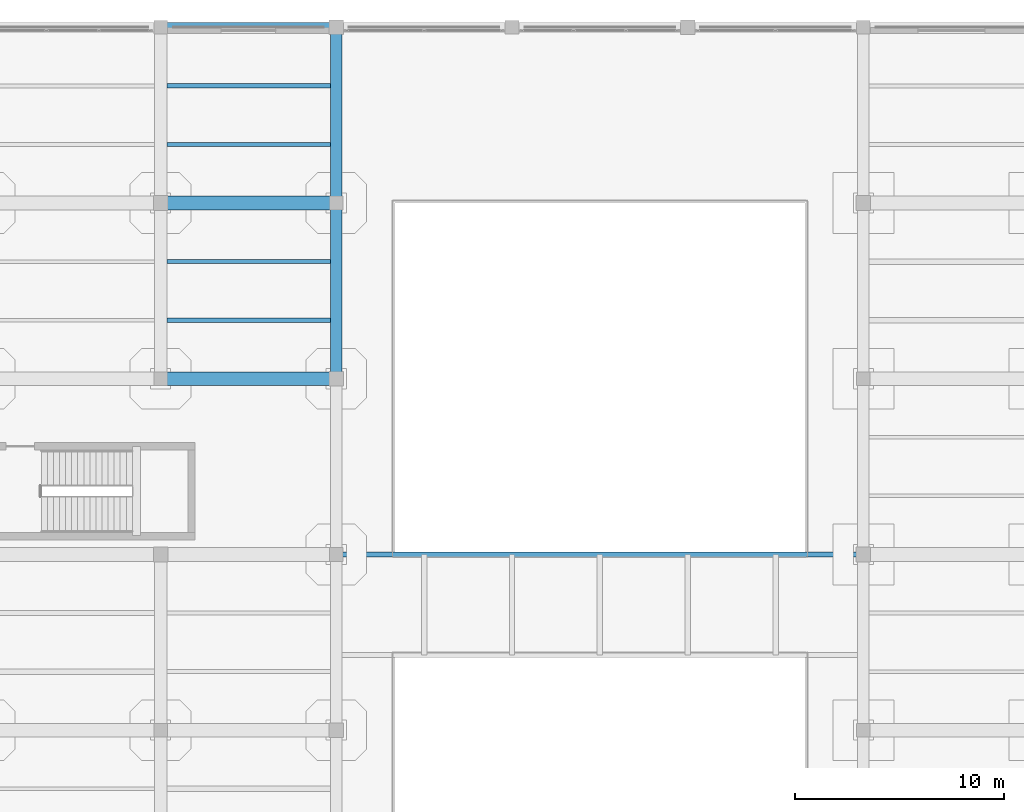
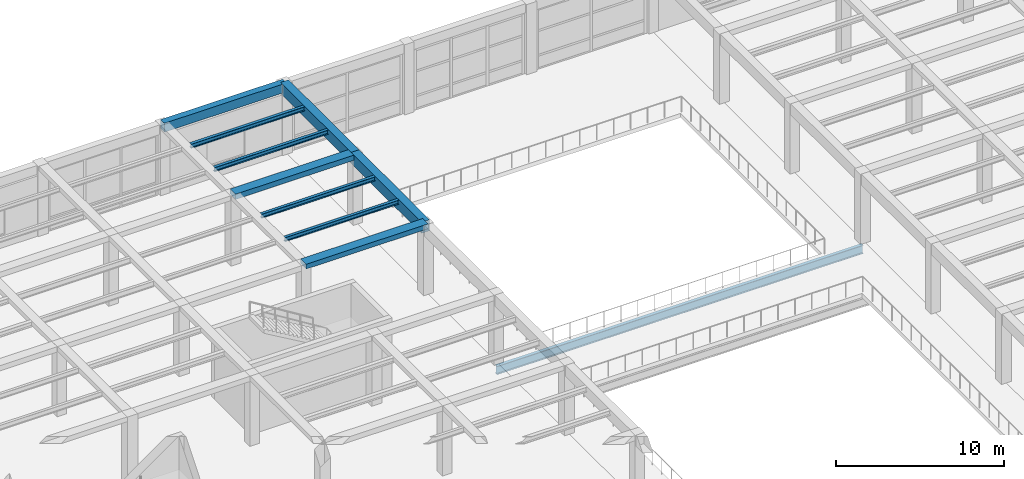
# One storey, part 43 of 96: 10 beams.
"""IFC4 building model written with IfcOpenShell, lengths in metres."""

from ifc_helpers import new_model, si_unit, direction, frame, origin, origin_2d, place, context, subcontext, project, spatial, rectangle, i_section, extrude, material, material_profile, profile_set, type_object, element, save


model = new_model("IFC4")

# Units and contexts
model_context = context("Model", 3, precision=1e-05, world=origin(), true_north=direction((0.0, 1.0)))
body_context = subcontext(model_context, "Body", "Model", "MODEL_VIEW")
ifc_project = project(units=[si_unit("LENGTHUNIT", "METRE"), si_unit("AREAUNIT", "SQUARE_METRE"), si_unit("VOLUMEUNIT", "CUBIC_METRE"), si_unit("PLANEANGLEUNIT", "RADIAN"), si_unit("MASSUNIT", "GRAM", prefix="KILO")], contexts=[model_context])

# Site, building, storey
site_placement = place(None, origin())
site = spatial("IfcSite", under=ifc_project, at=site_placement, CompositionType="ELEMENT")
building_placement = place(site_placement, origin())
building = spatial("IfcBuilding", under=site, at=building_placement, Name="Almacenes y Pasaje Nevantli", CompositionType="ELEMENT")
storey_placement = place(building_placement, frame((0.0, 0.0, 6.0)))
storey = spatial("IfcBuildingStorey", under=building, at=storey_placement, Name="L02", CompositionType="ELEMENT", Elevation=6.0)

# Beams
ifc_material_1 = material(Name="Concrete C35/45", Category="concrete")
ifc_material_profile_1 = material_profile(ifc_material_1, rectangle(XDim=0.449951171875, YDim=0.64990234375, at=origin_2d()), Name="RC-BM-450x650")
ifc_profile_set_1 = profile_set([ifc_material_profile_1], Name="Concrete C35/45")
beam_type_1 = type_object("IfcBeamType", Name="BM-RC-450x650", PredefinedType="SPANDREL", material=ifc_profile_set_1)
beam_1_placement = place(storey_placement, frame((58.800048828125, 117.60009765625, 4.77490234375), z_axis=(1.0, 0.0, 0.0), x_axis=(0.0, 1.0, 0.0)))
element("IfcBeam", 1, at=beam_1_placement, inside=storey, type_object=beam_type_1, Name="L02 East-West Reinforced Concrete Beam #1953", PredefinedType="SPANDREL", context=body_context, shape_type="SweptSolid", body=[
    extrude(rectangle(XDim=0.449951171875, YDim=0.64990234375, at=origin_2d()), origin(), (0.0, 0.0, 1.0), 8.39990234375),
])
ifc_material_2 = material(Name="Concrete C35/45", Category="concrete")
ifc_material_profile_2 = material_profile(ifc_material_2, rectangle(XDim=0.550048828125, YDim=0.800048828125, at=origin_2d()), Name="RC-BM-550x800")
ifc_profile_set_2 = profile_set([ifc_material_profile_2], Name="Concrete C35/45")
beam_type_2 = type_object("IfcBeamType", Name="BM-RC-550x800", PredefinedType="BEAM", material=ifc_profile_set_2)
beam_2_placement = place(storey_placement, frame((67.199951171875, 100.800048828125, 4.699951171875), z_axis=(0.0, 1.0, 0.0), x_axis=(-1.0, 0.0, 0.0)))
element("IfcBeam", 2, at=beam_2_placement, inside=storey, type_object=beam_type_2, Name="L02 North-South Reinforced Concrete Beam #2067", PredefinedType="BEAM", context=body_context, shape_type="SweptSolid", body=[
    extrude(rectangle(XDim=0.550048828125, YDim=0.800048828125, at=origin_2d()), origin(), (0.0, 0.0, 1.0), 8.39990234375),
])
beam_3_placement = place(storey_placement, frame((67.199951171875, 109.199951171875, 4.699951171875), z_axis=(0.0, 1.0, 0.0), x_axis=(-1.0, 0.0, 0.0)))
element("IfcBeam", 3, at=beam_3_placement, inside=storey, type_object=beam_type_2, Name="L02 North-South Reinforced Concrete Beam #2068", PredefinedType="BEAM", context=body_context, shape_type="SweptSolid", body=[
    extrude(rectangle(XDim=0.550048828125, YDim=0.800048828125, at=origin_2d()), origin(), (0.0, 0.0, 1.0), 8.400146484375),
])
ifc_material_3 = material(Name="Concrete C35/45", Category="concrete")
ifc_material_profile_3 = material_profile(ifc_material_3, rectangle(XDim=0.64990234375, YDim=0.35009765625, at=origin_2d()), Name="RC-BM-650x350")
ifc_profile_set_3 = profile_set([ifc_material_profile_3], Name="Concrete C35/45")
beam_type_3 = type_object("IfcBeamType", Name="BM-RC-650x350", PredefinedType="BEAM", material=ifc_profile_set_3)
beam_4_placement = place(storey_placement, frame((58.800048828125, 100.800048828125, 4.925048828125), z_axis=(1.0, 0.0, 0.0), x_axis=(0.0, 1.0, 0.0)))
element("IfcBeam", 4, at=beam_4_placement, inside=storey, type_object=beam_type_3, Name="L02 East-West Reinforced Concrete Beam #1919", PredefinedType="BEAM", context=body_context, shape_type="SweptSolid", body=[
    extrude(rectangle(XDim=0.64990234375, YDim=0.35009765625, at=origin_2d()), origin(), (0.0, 0.0, 1.0), 8.39990234375),
])
ifc_material_4 = material(Name="Concrete C35/45", Category="concrete")
ifc_material_profile_4 = material_profile(ifc_material_4, rectangle(XDim=0.64990234375, YDim=0.3798828125, at=origin_2d()), Name="RC-BM-650x380")
ifc_profile_set_4 = profile_set([ifc_material_profile_4], Name="Concrete C35/45")
beam_type_4 = type_object("IfcBeamType", Name="BM-RC-650x380", PredefinedType="BEAM", material=ifc_profile_set_4)
beam_5_placement = place(storey_placement, frame((58.800048828125, 109.199951171875, 4.909912109375), z_axis=(1.0, 0.0, 0.0), x_axis=(0.0, 1.0, 0.0)))
element("IfcBeam", 5, at=beam_5_placement, inside=storey, type_object=beam_type_4, Name="L02 East-West Reinforced Concrete Beam #1936", PredefinedType="BEAM", context=body_context, shape_type="SweptSolid", body=[
    extrude(rectangle(XDim=0.64990234375, YDim=0.3798828125, at=origin_2d()), origin(), (0.0, 0.0, 1.0), 8.39990234375),
])
ifc_material_5 = material(Name="Steel ASTM A992", Category="steel")
ifc_material_profile_5 = material_profile(ifc_material_5, i_section(OverallWidth=0.202880859375, OverallDepth=0.304931640625, WebThickness=0.007568359375, FlangeThickness=0.01318359375, at=origin_2d()), Name="IR 305x59.5")
ifc_profile_set_5 = profile_set([ifc_material_profile_5], Name="Steel ASTM A992")
beam_type_5 = type_object("IfcBeamType", Name="BM-STL-IR-305x59p5", PredefinedType="JOIST", material=ifc_profile_set_5)
for number, where, z_axis, x_axis, name in (
    (6, (59.10009765625, 103.60009765625, 4.939453125), (1.0, 0.0, 0.0), (0.0, 1.0, 0.0), "L02 Secondary Steel Floor Joist #453"),
    (7, (59.10009765625, 106.39990234375, 4.939453125), (1.0, 0.0, 0.0), (0.0, 1.0, 0.0), "L02 Secondary Steel Floor Joist #454"),
):
    element("IfcBeam", number, at=place(storey_placement, frame(where, z_axis=z_axis, x_axis=x_axis)), inside=storey, type_object=beam_type_5, Name=name, PredefinedType="JOIST", context=body_context, shape_type="SweptSolid", body=[
        extrude(i_section(OverallWidth=0.202880859375, OverallDepth=0.304931640625, WebThickness=0.007568359375, FlangeThickness=0.01318359375, at=origin_2d()), origin(), (0.0, 0.0, 1.0), 7.824951171875),
    ])
ifc_material_6 = material(Name="Steel ASTM A992", Category="steel")
ifc_material_profile_6 = material_profile(ifc_material_6, i_section(OverallWidth=0.205078125, OverallDepth=0.31005859375, WebThickness=0.009521484375, FlangeThickness=0.016357421875, at=origin_2d()), Name="IR 305x74.4")
ifc_profile_set_6 = profile_set([ifc_material_profile_6], Name="Steel ASTM A992")
beam_type_6 = type_object("IfcBeamType", Name="BM-STL-IR-305x74p4", PredefinedType="JOIST", material=ifc_profile_set_6)
for number, where, z_axis, x_axis, name in (
    (8, (59.10009765625, 112.0, 4.93701171875), (1.0, 0.0, 0.0), (0.0, 1.0, 0.0), "L02 Secondary Steel Floor Joist #455"),
    (9, (59.10009765625, 114.800048828125, 4.93701171875), (1.0, 0.0, 0.0), (0.0, 1.0, 0.0), "L02 Secondary Steel Floor Joist #456"),
):
    element("IfcBeam", number, at=place(storey_placement, frame(where, z_axis=z_axis, x_axis=x_axis)), inside=storey, type_object=beam_type_6, Name=name, PredefinedType="JOIST", context=body_context, shape_type="SweptSolid", body=[
        extrude(i_section(OverallWidth=0.205078125, OverallDepth=0.31005859375, WebThickness=0.009521484375, FlangeThickness=0.016357421875, at=origin_2d()), origin(), (0.0, 0.0, 1.0), 7.824951171875),
    ])
ifc_material_7 = material(Name="Steel ASTM A992", Category="steel")
ifc_material_profile_7 = material_profile(ifc_material_7, i_section(OverallWidth=0.22900390625, OverallDepth=0.612060546875, WebThickness=0.011962890625, FlangeThickness=0.01953125, at=origin_2d()), Name="IR 610x125.0")
ifc_profile_set_7 = profile_set([ifc_material_profile_7], Name="Steel ASTM A992")
beam_type_7 = type_object("IfcBeamType", Name="BM-STL-IR-610x125p0", PredefinedType="BEAM", material=ifc_profile_set_7)
beam_6_placement = place(storey_placement, frame((67.199951171875, 92.39990234375, -0.614013671875), z_axis=(1.0, 0.0, 0.0), x_axis=(0.0, 1.0, 0.0)))
element("IfcBeam", 10, at=beam_6_placement, inside=storey, type_object=beam_type_7, Name="L02 Arcade Gallery Bridge Steel Girder BRG-ARC-3.2", PredefinedType="BEAM", context=body_context, shape_type="SweptSolid", body=[
    extrude(i_section(OverallWidth=0.22900390625, OverallDepth=0.612060546875, WebThickness=0.011962890625, FlangeThickness=0.01953125, at=origin_2d()), origin(), (0.0, 0.0, 1.0), 25.199951171875),
])

save(model, "model.ifc")
